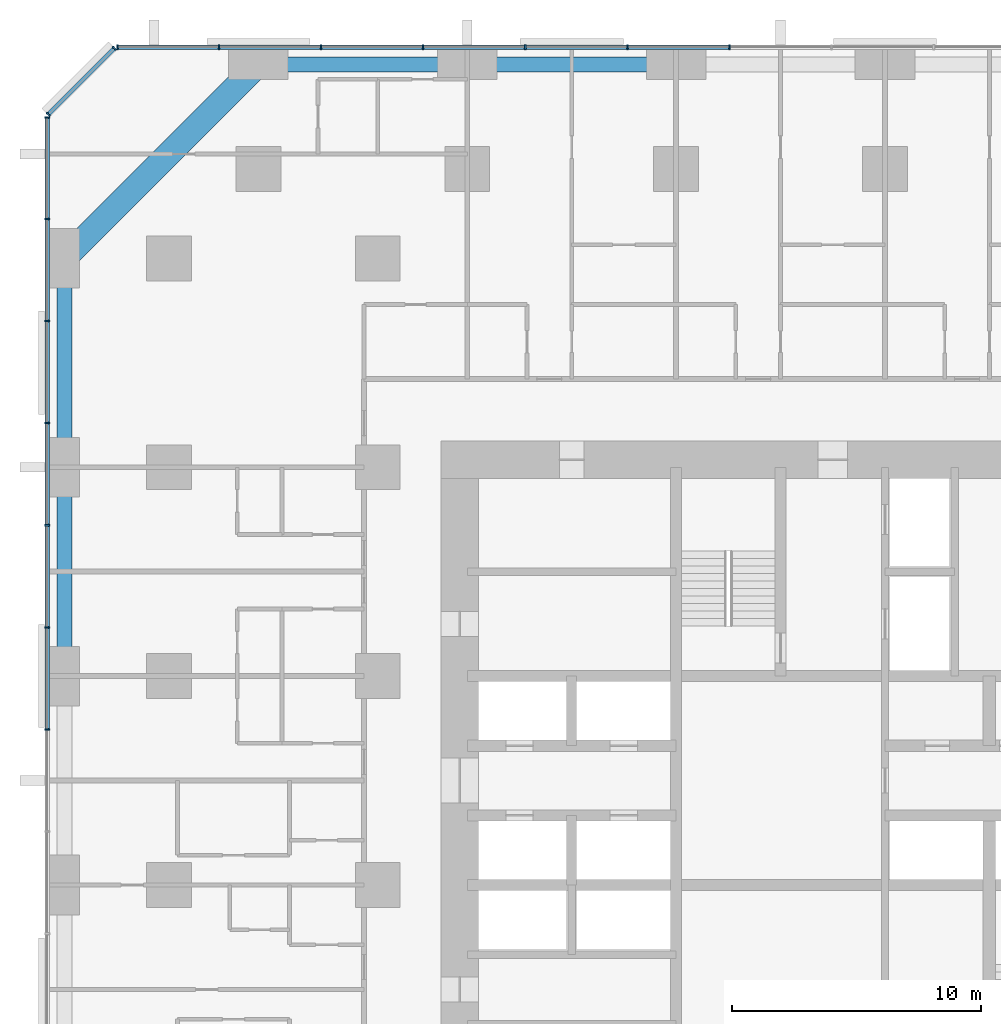
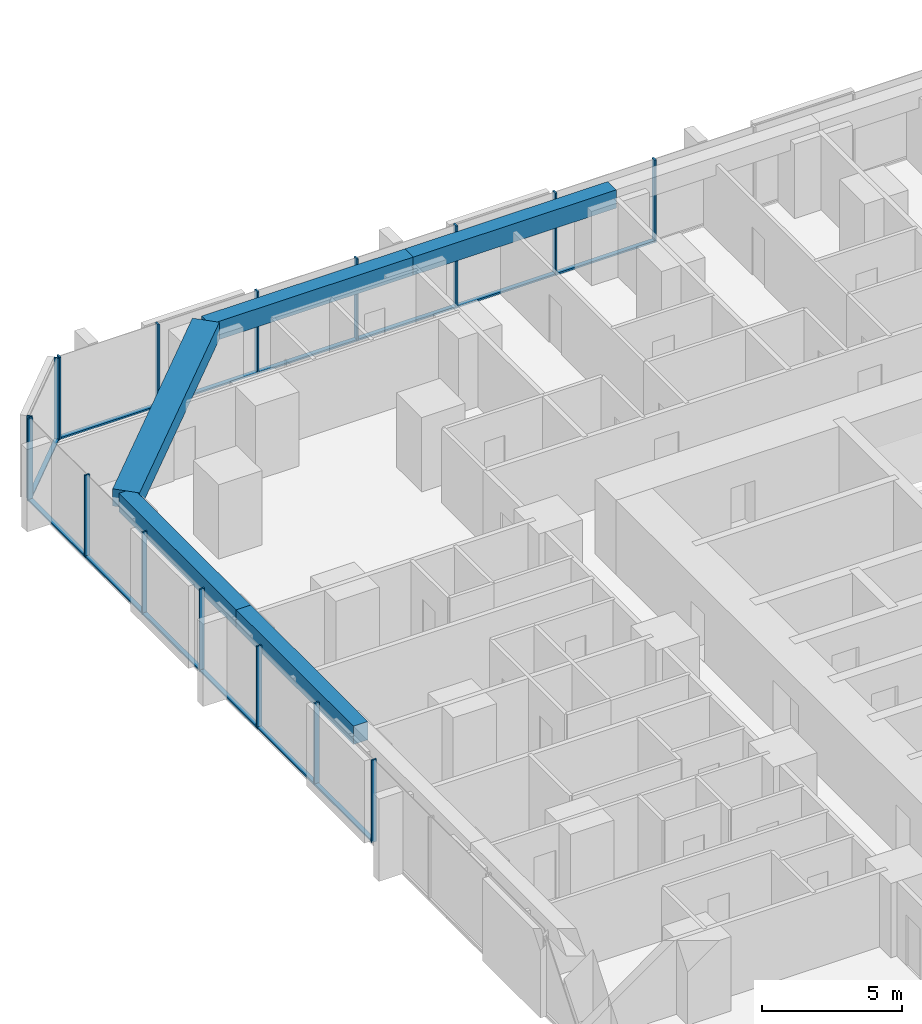
# One storey, part 6 of 17: 29 members, 5 beams, 3 elements without a shape of their own.
"""IFC4 building model written with IfcOpenShell, lengths in metres."""

from ifc_helpers import new_model, si_unit, direction, frame, origin, origin_2d, place, context, subcontext, project, spatial, rectangle, extrude, material, material_profile, profile_set, type_object, element, aggregate, save


model = new_model("IFC4")

# Units and contexts
model_context = context("Model", 3, precision=1e-05, world=origin(), true_north=direction((0.0, 1.0)))
body_context = subcontext(model_context, "Body", "Model", "MODEL_VIEW")
ifc_project = project(units=[si_unit("LENGTHUNIT", "METRE"), si_unit("AREAUNIT", "SQUARE_METRE"), si_unit("VOLUMEUNIT", "CUBIC_METRE"), si_unit("PLANEANGLEUNIT", "RADIAN"), si_unit("MASSUNIT", "GRAM", prefix="KILO")], contexts=[model_context])

# Site, building, storey
site_placement = place(None, origin())
site = spatial("IfcSite", under=ifc_project, at=site_placement, CompositionType="ELEMENT")
building_placement = place(site_placement, origin())
building = spatial("IfcBuilding", under=site, at=building_placement, Name="Dunama Terrace Hotel", CompositionType="ELEMENT")
storey_placement = place(building_placement, frame((0.0, 0.0, 52.199951171875)))
storey = spatial("IfcBuildingStorey", under=building, at=storey_placement, Name="L12", CompositionType="ELEMENT", Elevation=52.199951171875)

# Curtain wall, members
ifc_material_1 = material(Name="Aluminium curtain wall system", Category="aluminium")
curtain_wall_type = type_object("IfcCurtainWallType", Name="Unitised fritted glass wall CW-A", PredefinedType="NOTDEFINED", material=ifc_material_1)
curtain_wall_1_placement = place(storey_placement, origin())
curtain_wall_1 = element("IfcCurtainWall", 1, at=curtain_wall_1_placement, inside=storey, type_object=curtain_wall_type, Name="Unitised fritted glass wall CW-A L12", PredefinedType="NOTDEFINED")
ifc_material_2 = material(Name="Aluminium mullion", Category="aluminium")
ifc_material_profile_1 = material_profile(ifc_material_2, rectangle(XDim=0.06494140625, YDim=0.199951171875, at=origin_2d()), Name="CWA MULLION 65X200")
ifc_profile_set_1 = profile_set([ifc_material_profile_1], Name="Aluminium mullion")
member_type_1 = type_object("IfcMemberType", Name="CWA mullion 65x200", PredefinedType="MULLION", material=ifc_profile_set_1)
member_1_placement = place(storey_placement, frame((27.345947265625, 58.89990234375, 0.0), z_axis=(0.0, 0.0, 1.0), x_axis=(-1.0, 0.0, 0.0)))
member_1 = element("IfcMember", 2, at=member_1_placement, type_object=member_type_1, Name="CWA mullion", PredefinedType="MULLION", context=body_context, shape_type="SweptSolid", body=[
    extrude(rectangle(XDim=0.06494140625, YDim=0.199951171875, at=origin_2d()), origin(), (0.0, 0.0, 1.0), 3.60009765625),
])
member_2_placement = place(storey_placement, frame((23.238037109375, 58.89990234375, 0.0), z_axis=(0.0, 0.0, 1.0), x_axis=(-1.0, 0.0, 0.0)))
member_2 = element("IfcMember", 3, at=member_2_placement, type_object=member_type_1, Name="CWA mullion", PredefinedType="MULLION", context=body_context, shape_type="SweptSolid", body=[
    extrude(rectangle(XDim=0.06494140625, YDim=0.199951171875, at=origin_2d()), origin(), (0.0, 0.0, 1.0), 3.60009765625),
])
member_3_placement = place(storey_placement, frame((19.131103515625, 58.89990234375, 0.0), z_axis=(0.0, 0.0, 1.0), x_axis=(-1.0, 0.0, 0.0)))
member_3 = element("IfcMember", 4, at=member_3_placement, type_object=member_type_1, Name="CWA mullion", PredefinedType="MULLION", context=body_context, shape_type="SweptSolid", body=[
    extrude(rectangle(XDim=0.06494140625, YDim=0.199951171875, at=origin_2d()), origin(), (0.0, 0.0, 1.0), 3.60009765625),
])
member_4_placement = place(storey_placement, frame((15.02294921875, 58.89990234375, 0.0), z_axis=(0.0, 0.0, 1.0), x_axis=(-1.0, 0.0, 0.0)))
member_4 = element("IfcMember", 5, at=member_4_placement, type_object=member_type_1, Name="CWA mullion", PredefinedType="MULLION", context=body_context, shape_type="SweptSolid", body=[
    extrude(rectangle(XDim=0.06494140625, YDim=0.199951171875, at=origin_2d()), origin(), (0.0, 0.0, 1.0), 3.60009765625),
])
member_5_placement = place(storey_placement, frame((10.9150390625, 58.89990234375, 0.0), z_axis=(0.0, 0.0, 1.0), x_axis=(-1.0, 0.0, 0.0)))
member_5 = element("IfcMember", 6, at=member_5_placement, type_object=member_type_1, Name="CWA mullion", PredefinedType="MULLION", context=body_context, shape_type="SweptSolid", body=[
    extrude(rectangle(XDim=0.06494140625, YDim=0.199951171875, at=origin_2d()), origin(), (0.0, 0.0, 1.0), 3.60009765625),
])
member_6_placement = place(storey_placement, frame((6.80810546875, 58.89990234375, 0.0), z_axis=(0.0, 0.0, 1.0), x_axis=(-1.0, 0.0, 0.0)))
member_6 = element("IfcMember", 7, at=member_6_placement, type_object=member_type_1, Name="CWA mullion", PredefinedType="MULLION", context=body_context, shape_type="SweptSolid", body=[
    extrude(rectangle(XDim=0.06494140625, YDim=0.199951171875, at=origin_2d()), origin(), (0.0, 0.0, 1.0), 3.60009765625),
])
member_7_placement = place(storey_placement, frame((2.73291015625, 58.89990234375, 0.0), z_axis=(0.0, 0.0, 1.0), x_axis=(-1.0, 0.0, 0.0)))
member_7 = element("IfcMember", 8, at=member_7_placement, type_object=member_type_1, Name="CWA mullion", PredefinedType="MULLION", context=body_context, shape_type="SweptSolid", body=[
    extrude(rectangle(XDim=0.06494140625, YDim=0.199951171875, at=origin_2d()), origin(), (0.0, 0.0, 1.0), 3.60009765625),
])

curtain_wall_2_placement = place(storey_placement, origin())
curtain_wall_2 = element("IfcCurtainWall", 9, at=curtain_wall_2_placement, inside=storey, type_object=curtain_wall_type, Name="Unitised fritted glass wall CW-A L12", PredefinedType="NOTDEFINED")
member_8_placement = place(storey_placement, frame((2.60595703125, 58.847900390625, 0.0), z_axis=(0.0, 0.0, 1.0), x_axis=(-0.707106781187, -0.707106781187, 0.0)))
member_8 = element("IfcMember", 10, at=member_8_placement, type_object=member_type_1, Name="CWA mullion", PredefinedType="MULLION", context=body_context, shape_type="SweptSolid", body=[
    extrude(rectangle(XDim=0.06494140625, YDim=0.199951171875, at=origin_2d()), origin(), (0.0, 0.0, 1.0), 3.60009765625),
])
member_9_placement = place(storey_placement, frame((-0.048095703125, 56.194091796875, 0.0), z_axis=(0.0, 0.0, 1.0), x_axis=(-0.707106781187, -0.707106781187, 0.0)))
member_9 = element("IfcMember", 11, at=member_9_placement, type_object=member_type_1, Name="CWA mullion", PredefinedType="MULLION", context=body_context, shape_type="SweptSolid", body=[
    extrude(rectangle(XDim=0.06494140625, YDim=0.199951171875, at=origin_2d()), origin(), (0.0, 0.0, 1.0), 3.60009765625),
])

curtain_wall_3_placement = place(storey_placement, origin())
curtain_wall_3 = element("IfcCurtainWall", 12, at=curtain_wall_3_placement, inside=storey, type_object=curtain_wall_type, Name="Unitised fritted glass wall CW-A L12", PredefinedType="NOTDEFINED")
member_10_placement = place(storey_placement, frame((-0.10009765625, 56.06689453125, 0.0), z_axis=(0.0, 0.0, 1.0), x_axis=(0.0, -1.0, 0.0)))
member_10 = element("IfcMember", 13, at=member_10_placement, type_object=member_type_1, Name="CWA mullion", PredefinedType="MULLION", context=body_context, shape_type="SweptSolid", body=[
    extrude(rectangle(XDim=0.06494140625, YDim=0.199951171875, at=origin_2d()), origin(), (0.0, 0.0, 1.0), 3.60009765625),
])
member_11_placement = place(storey_placement, frame((-0.10009765625, 51.991943359375, 0.0), z_axis=(0.0, 0.0, 1.0), x_axis=(0.0, -1.0, 0.0)))
member_11 = element("IfcMember", 14, at=member_11_placement, type_object=member_type_1, Name="CWA mullion", PredefinedType="MULLION", context=body_context, shape_type="SweptSolid", body=[
    extrude(rectangle(XDim=0.06494140625, YDim=0.199951171875, at=origin_2d()), origin(), (0.0, 0.0, 1.0), 3.60009765625),
])
member_12_placement = place(storey_placement, frame((-0.10009765625, 47.885009765625, 0.0), z_axis=(0.0, 0.0, 1.0), x_axis=(0.0, -1.0, 0.0)))
member_12 = element("IfcMember", 15, at=member_12_placement, type_object=member_type_1, Name="CWA mullion", PredefinedType="MULLION", context=body_context, shape_type="SweptSolid", body=[
    extrude(rectangle(XDim=0.06494140625, YDim=0.199951171875, at=origin_2d()), origin(), (0.0, 0.0, 1.0), 3.60009765625),
])
member_13_placement = place(storey_placement, frame((-0.10009765625, 43.777099609375, 0.0), z_axis=(0.0, 0.0, 1.0), x_axis=(0.0, -1.0, 0.0)))
member_13 = element("IfcMember", 16, at=member_13_placement, type_object=member_type_1, Name="CWA mullion", PredefinedType="MULLION", context=body_context, shape_type="SweptSolid", body=[
    extrude(rectangle(XDim=0.06494140625, YDim=0.199951171875, at=origin_2d()), origin(), (0.0, 0.0, 1.0), 3.60009765625),
])
member_14_placement = place(storey_placement, frame((-0.10009765625, 39.6689453125, 0.0), z_axis=(0.0, 0.0, 1.0), x_axis=(0.0, -1.0, 0.0)))
member_14 = element("IfcMember", 17, at=member_14_placement, type_object=member_type_1, Name="CWA mullion", PredefinedType="MULLION", context=body_context, shape_type="SweptSolid", body=[
    extrude(rectangle(XDim=0.06494140625, YDim=0.199951171875, at=origin_2d()), origin(), (0.0, 0.0, 1.0), 3.60009765625),
])
member_15_placement = place(storey_placement, frame((-0.10009765625, 35.56201171875, 0.0), z_axis=(0.0, 0.0, 1.0), x_axis=(0.0, -1.0, 0.0)))
member_15 = element("IfcMember", 18, at=member_15_placement, type_object=member_type_1, Name="CWA mullion", PredefinedType="MULLION", context=body_context, shape_type="SweptSolid", body=[
    extrude(rectangle(XDim=0.06494140625, YDim=0.199951171875, at=origin_2d()), origin(), (0.0, 0.0, 1.0), 3.60009765625),
])
member_16_placement = place(storey_placement, frame((-0.10009765625, 31.4541015625, 0.0), z_axis=(0.0, 0.0, 1.0), x_axis=(0.0, -1.0, 0.0)))
member_16 = element("IfcMember", 19, at=member_16_placement, type_object=member_type_1, Name="CWA mullion", PredefinedType="MULLION", context=body_context, shape_type="SweptSolid", body=[
    extrude(rectangle(XDim=0.06494140625, YDim=0.199951171875, at=origin_2d()), origin(), (0.0, 0.0, 1.0), 3.60009765625),
])

# Member
ifc_material_3 = material(Name="Aluminium transom", Category="aluminium")
ifc_material_profile_2 = material_profile(ifc_material_3, rectangle(XDim=0.179931640625, YDim=0.074951171875, at=origin_2d()), Name="CWA TRANSOM 180X75")
ifc_profile_set_2 = profile_set([ifc_material_profile_2], Name="Aluminium transom")
member_type_2 = type_object("IfcMemberType", Name="CWA transom 180x75", PredefinedType="USERDEFINED", material=ifc_profile_set_2)
member_17_placement = place(storey_placement, frame((27.31396484375, 58.89990234375, 0.03759765625), z_axis=(-1.0, 0.0, 0.0), x_axis=(0.0, -1.0, 0.0)))
member_17 = element("IfcMember", 20, at=member_17_placement, type_object=member_type_2, Name="CWA transom", ObjectType="TRANSOM", PredefinedType="USERDEFINED", context=body_context, shape_type="SweptSolid", body=[
    extrude(rectangle(XDim=0.179931640625, YDim=0.074951171875, at=origin_2d()), origin(), (0.0, 0.0, 1.0), 4.04296875),
])

member_18_placement = place(storey_placement, frame((23.2060546875, 58.89990234375, 0.03759765625), z_axis=(-1.0, 0.0, 0.0), x_axis=(0.0, -1.0, 0.0)))
member_18 = element("IfcMember", 21, at=member_18_placement, type_object=member_type_2, Name="CWA transom", ObjectType="TRANSOM", PredefinedType="USERDEFINED", context=body_context, shape_type="SweptSolid", body=[
    extrude(rectangle(XDim=0.179931640625, YDim=0.074951171875, at=origin_2d()), origin(), (0.0, 0.0, 1.0), 4.04296875),
])

member_19_placement = place(storey_placement, frame((19.097900390625, 58.89990234375, 0.03759765625), z_axis=(-1.0, 0.0, 0.0), x_axis=(0.0, -1.0, 0.0)))
member_19 = element("IfcMember", 22, at=member_19_placement, type_object=member_type_2, Name="CWA transom", ObjectType="TRANSOM", PredefinedType="USERDEFINED", context=body_context, shape_type="SweptSolid", body=[
    extrude(rectangle(XDim=0.179931640625, YDim=0.074951171875, at=origin_2d()), origin(), (0.0, 0.0, 1.0), 4.0419921875),
])

member_20_placement = place(storey_placement, frame((14.990966796875, 58.89990234375, 0.03759765625), z_axis=(-1.0, 0.0, 0.0), x_axis=(0.0, -1.0, 0.0)))
member_20 = element("IfcMember", 23, at=member_20_placement, type_object=member_type_2, Name="CWA transom", ObjectType="TRANSOM", PredefinedType="USERDEFINED", context=body_context, shape_type="SweptSolid", body=[
    extrude(rectangle(XDim=0.179931640625, YDim=0.074951171875, at=origin_2d()), origin(), (0.0, 0.0, 1.0), 4.04296875),
])

member_21_placement = place(storey_placement, frame((10.883056640625, 58.89990234375, 0.03759765625), z_axis=(-1.0, 0.0, 0.0), x_axis=(0.0, -1.0, 0.0)))
member_21 = element("IfcMember", 24, at=member_21_placement, type_object=member_type_2, Name="CWA transom", ObjectType="TRANSOM", PredefinedType="USERDEFINED", context=body_context, shape_type="SweptSolid", body=[
    extrude(rectangle(XDim=0.179931640625, YDim=0.074951171875, at=origin_2d()), origin(), (0.0, 0.0, 1.0), 4.04296875),
])

member_22_placement = place(storey_placement, frame((6.77490234375, 58.89990234375, 0.03759765625), z_axis=(-1.0, 0.0, 0.0), x_axis=(0.0, -1.0, 0.0)))
member_22 = element("IfcMember", 25, at=member_22_placement, type_object=member_type_2, Name="CWA transom", ObjectType="TRANSOM", PredefinedType="USERDEFINED", context=body_context, shape_type="SweptSolid", body=[
    extrude(rectangle(XDim=0.179931640625, YDim=0.074951171875, at=origin_2d()), origin(), (0.0, 0.0, 1.0), 4.010009765625),
])

aggregate(curtain_wall_1, [member_1, member_2, member_3, member_4, member_5, member_6, member_7, member_17, member_18, member_19, member_20, member_21, member_22])

member_23_placement = place(storey_placement, frame((2.5830078125, 58.824951171875, 0.03759765625), z_axis=(-0.707106781187, -0.707106781187, 0.0), x_axis=(0.707106781187, -0.707106781187, 0.0)))
member_23 = element("IfcMember", 26, at=member_23_placement, type_object=member_type_2, Name="CWA transom", ObjectType="TRANSOM", PredefinedType="USERDEFINED", context=body_context, shape_type="SweptSolid", body=[
    extrude(rectangle(XDim=0.179931640625, YDim=0.074951171875, at=origin_2d()), origin(), (0.0, 0.0, 1.0), 3.688232421875),
])

aggregate(curtain_wall_2, [member_8, member_9, member_23])

member_24_placement = place(storey_placement, frame((-0.10009765625, 56.034912109375, 0.03759765625), z_axis=(0.0, -1.0, 0.0), x_axis=(1.0, 0.0, 0.0)))
member_24 = element("IfcMember", 27, at=member_24_placement, type_object=member_type_2, Name="CWA transom", ObjectType="TRANSOM", PredefinedType="USERDEFINED", context=body_context, shape_type="SweptSolid", body=[
    extrude(rectangle(XDim=0.179931640625, YDim=0.074951171875, at=origin_2d()), origin(), (0.0, 0.0, 1.0), 4.010009765625),
])

member_25_placement = place(storey_placement, frame((-0.10009765625, 51.9599609375, 0.03759765625), z_axis=(0.0, -1.0, 0.0), x_axis=(1.0, 0.0, 0.0)))
member_25 = element("IfcMember", 28, at=member_25_placement, type_object=member_type_2, Name="CWA transom", ObjectType="TRANSOM", PredefinedType="USERDEFINED", context=body_context, shape_type="SweptSolid", body=[
    extrude(rectangle(XDim=0.179931640625, YDim=0.074951171875, at=origin_2d()), origin(), (0.0, 0.0, 1.0), 4.04296875),
])

member_26_placement = place(storey_placement, frame((-0.10009765625, 47.85205078125, 0.03759765625), z_axis=(0.0, -1.0, 0.0), x_axis=(1.0, 0.0, 0.0)))
member_26 = element("IfcMember", 29, at=member_26_placement, type_object=member_type_2, Name="CWA transom", ObjectType="TRANSOM", PredefinedType="USERDEFINED", context=body_context, shape_type="SweptSolid", body=[
    extrude(rectangle(XDim=0.179931640625, YDim=0.074951171875, at=origin_2d()), origin(), (0.0, 0.0, 1.0), 4.04296875),
])

member_27_placement = place(storey_placement, frame((-0.10009765625, 43.743896484375, 0.03759765625), z_axis=(0.0, -1.0, 0.0), x_axis=(1.0, 0.0, 0.0)))
member_27 = element("IfcMember", 30, at=member_27_placement, type_object=member_type_2, Name="CWA transom", ObjectType="TRANSOM", PredefinedType="USERDEFINED", context=body_context, shape_type="SweptSolid", body=[
    extrude(rectangle(XDim=0.179931640625, YDim=0.074951171875, at=origin_2d()), origin(), (0.0, 0.0, 1.0), 4.0419921875),
])

member_28_placement = place(storey_placement, frame((-0.10009765625, 39.636962890625, 0.03759765625), z_axis=(0.0, -1.0, 0.0), x_axis=(1.0, 0.0, 0.0)))
member_28 = element("IfcMember", 31, at=member_28_placement, type_object=member_type_2, Name="CWA transom", ObjectType="TRANSOM", PredefinedType="USERDEFINED", context=body_context, shape_type="SweptSolid", body=[
    extrude(rectangle(XDim=0.179931640625, YDim=0.074951171875, at=origin_2d()), origin(), (0.0, 0.0, 1.0), 4.04296875),
])

member_29_placement = place(storey_placement, frame((-0.10009765625, 35.529052734375, 0.03759765625), z_axis=(0.0, -1.0, 0.0), x_axis=(1.0, 0.0, 0.0)))
member_29 = element("IfcMember", 32, at=member_29_placement, type_object=member_type_2, Name="CWA transom", ObjectType="TRANSOM", PredefinedType="USERDEFINED", context=body_context, shape_type="SweptSolid", body=[
    extrude(rectangle(XDim=0.179931640625, YDim=0.074951171875, at=origin_2d()), origin(), (0.0, 0.0, 1.0), 4.04296875),
])

aggregate(curtain_wall_3, [member_10, member_11, member_12, member_13, member_14, member_15, member_16, member_24, member_25, member_26, member_27, member_28, member_29])

# Beams
ifc_material_4 = material(Name="Concrete C50/60", Category="concrete")
ifc_material_profile_3 = material_profile(ifc_material_4, rectangle(XDim=1.0, YDim=0.75, at=origin_2d()), Name="RC 1000x750")
ifc_profile_set_3 = profile_set([ifc_material_profile_3], Name="Concrete C50/60")
beam_type_1 = type_object("IfcBeamType", Name="Edge beam RC 1000x750", PredefinedType="SPANDREL", material=ifc_profile_set_3)
beam_1_placement = place(storey_placement, frame((8.39990234375, 58.199951171875, 3.22509765625), z_axis=(-0.707095714747, -0.707117847453, 0.0), x_axis=(0.707117847453, -0.707095714747, 0.0)))
element("IfcBeam", 33, at=beam_1_placement, inside=storey, type_object=beam_type_1, Name="Corner edge beam under L13", PredefinedType="SPANDREL", context=body_context, shape_type="SweptSolid", body=[
    extrude(rectangle(XDim=1.0, YDim=0.75, at=origin_2d()), origin(), (0.0, 0.0, 1.0), 11.03076171875),
])
ifc_material_5 = material(Name="Concrete C40/50", Category="concrete")
ifc_material_profile_4 = material_profile(ifc_material_5, rectangle(XDim=0.60009765625, YDim=0.800048828125, at=origin_2d()), Name="RC 600x800")
ifc_profile_set_4 = profile_set([ifc_material_profile_4], Name="Concrete C40/50")
beam_type_2 = type_object("IfcBeamType", Name="Edge beam RC 600x800", PredefinedType="SPANDREL", material=ifc_profile_set_4)
for number, where, z_axis, x_axis, name in (
    (34, (0.60009765625, 33.60009765625, 3.199951171875), (0.0, 1.0, 0.0), (-1.0, 0.0, 0.0), "Edge beam under L13"),
    (35, (0.60009765625, 42.0, 3.199951171875), (0.0, 1.0, 0.0), (-1.0, 0.0, 0.0), "Edge beam under L13"),
):
    element("IfcBeam", number, at=place(storey_placement, frame(where, z_axis=z_axis, x_axis=x_axis)), inside=storey, type_object=beam_type_2, Name=name, PredefinedType="SPANDREL", context=body_context, shape_type="SweptSolid", body=[
        extrude(rectangle(XDim=0.60009765625, YDim=0.800048828125, at=origin_2d()), origin(), (0.0, 0.0, 1.0), 8.39990234375),
    ])
beam_2_placement = place(storey_placement, frame((8.39990234375, 58.199951171875, 3.199951171875), z_axis=(1.0, 0.0, 0.0), x_axis=(0.0, 1.0, 0.0)))
element("IfcBeam", 36, at=beam_2_placement, inside=storey, type_object=beam_type_2, Name="Edge beam under L13", PredefinedType="SPANDREL", context=body_context, shape_type="SweptSolid", body=[
    extrude(rectangle(XDim=0.60009765625, YDim=0.800048828125, at=origin_2d()), origin(), (0.0, 0.0, 1.0), 8.400146484375),
])
beam_3_placement = place(storey_placement, frame((16.800048828125, 58.199951171875, 3.199951171875), z_axis=(1.0, 0.0, 0.0), x_axis=(0.0, 1.0, 0.0)))
element("IfcBeam", 37, at=beam_3_placement, inside=storey, type_object=beam_type_2, Name="Edge beam under L13", PredefinedType="SPANDREL", context=body_context, shape_type="SweptSolid", body=[
    extrude(rectangle(XDim=0.60009765625, YDim=0.800048828125, at=origin_2d()), origin(), (0.0, 0.0, 1.0), 8.39990234375),
])

save(model, "model.ifc")
